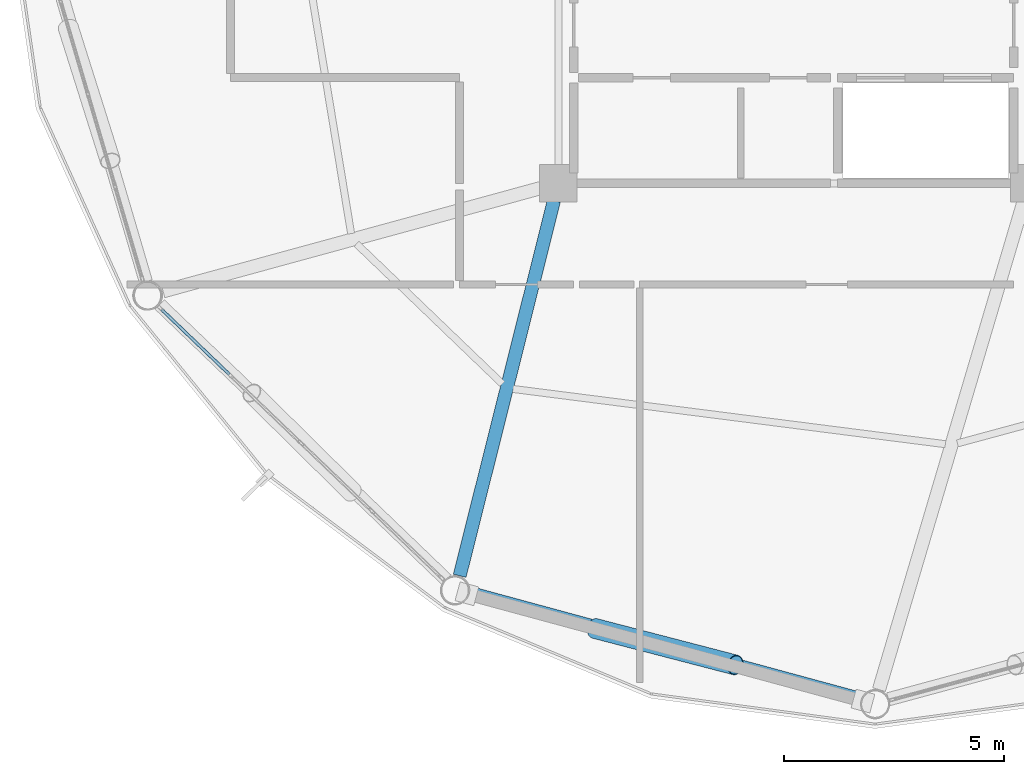
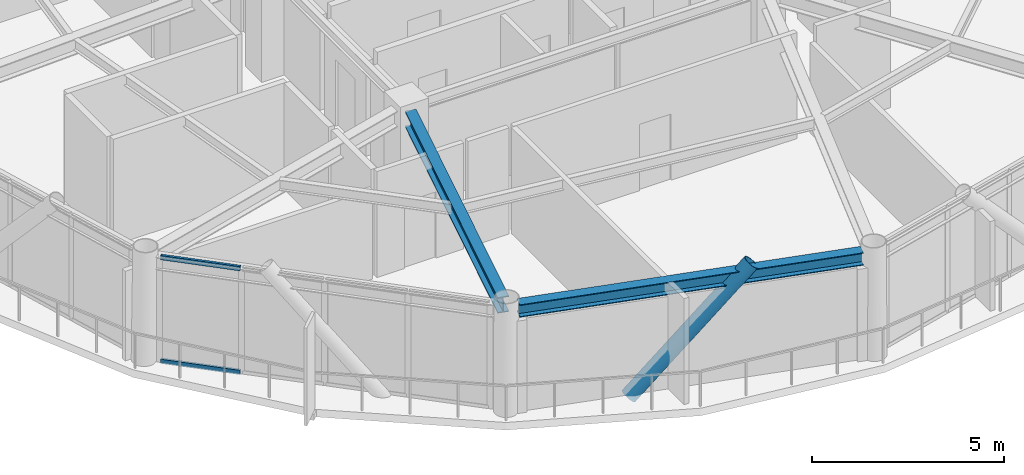
# One storey, part 3 of 28: 3 members, 2 beams, 1 element without a shape of its own.
"""IFC4 building model written with IfcOpenShell, lengths in metres."""

import ifcopenshell
import ifcopenshell.guid

model = None  # the IFC model being written
_history = None  # IfcOwnerHistory: only IFC2X3 demands one
_inside = {}  # id of a spatial element -> (the spatial element, [elements in it])
_under = {}  # id of a project, library or spatial element -> (it, [spatial elements below it])
_declared = {}  # id of a project -> (the project, [libraries it declares])
_typed = {}  # id of a type object -> (the type object, [elements of that type])
_made_of = {}  # id of a material, layer set ... -> (it, [elements and type objects made of it])


def new_model(schema):
    """Start an empty IFC model of exactly this schema.

    Asked for "IFC4X3", IfcOpenShell would pick the latest addendum, in which some entities
    have other attributes; the version numbers below select the first issue.
    IFC2X3 requires an IfcOwnerHistory on every rooted entity: one is made here for all.
    """
    global model, _history
    if schema == "IFC4X3":
        model = ifcopenshell.file(schema_version=(4, 3, 0, 0))
    else:
        model = ifcopenshell.file(schema=schema)
    _inside.clear()
    _under.clear()
    _declared.clear()
    _typed.clear()
    _made_of.clear()
    _history = None
    if model.schema == "IFC2X3":
        org = make("IfcOrganization", Name="unknown")
        user = make(
            "IfcPersonAndOrganization",
            ThePerson=make("IfcPerson", FamilyName="unknown"),
            TheOrganization=org,
        )
        app = make(
            "IfcApplication",
            ApplicationDeveloper=org,
            Version="unknown",
            ApplicationFullName="unknown",
            ApplicationIdentifier="unknown",
        )
        _history = make(
            "IfcOwnerHistory",
            OwningUser=user,
            OwningApplication=app,
            ChangeAction="ADDED",
            CreationDate=0,
        )
    return model


def make(cls, **values):
    """One entity of the class cls with the attributes given. An attribute that is None is left unset."""
    return model.create_entity(
        cls, **{name: value for name, value in values.items() if value is not None}
    )


def rooted(cls, **values):
    """An entity with a GlobalId (a new one), such as an element, a storey or a relation."""
    return make(cls, GlobalId=ifcopenshell.guid.new(), OwnerHistory=_history, **values)


def si_unit(unit_type, name, prefix=None):
    """IfcSIUnit, for example si_unit("LENGTHUNIT", "METRE", prefix="MILLI")."""
    return make("IfcSIUnit", UnitType=unit_type, Prefix=prefix, Name=name)


def assignment(units):
    """IfcUnitAssignment: the units of a project."""
    return None if units is None else make("IfcUnitAssignment", Units=units)


def point(xyz):
    """IfcCartesianPoint."""
    return None if xyz is None else make("IfcCartesianPoint", Coordinates=xyz)


def direction(xyz):
    """IfcDirection."""
    return None if xyz is None else make("IfcDirection", DirectionRatios=xyz)


def frame(location, z_axis=None, x_axis=None):
    """IfcAxis2Placement3D, a coordinate frame: its origin and axes. An axis left out is left unset."""
    return make(
        "IfcAxis2Placement3D",
        Location=point(location),
        Axis=direction(z_axis),
        RefDirection=direction(x_axis),
    )


def frame_2d(location, x_axis=None):
    """IfcAxis2Placement2D, a coordinate frame in the plane: its origin and x axis."""
    return make(
        "IfcAxis2Placement2D", Location=point(location), RefDirection=direction(x_axis)
    )


def origin():
    """The frame at (0, 0, 0) with its axes left unset."""
    return frame((0.0, 0.0, 0.0))


def origin_2d():
    """The frame at (0, 0) in the plane with its x axis left unset."""
    return frame_2d((0.0, 0.0))


def place(relative_to, where):
    """IfcLocalPlacement: puts the frame where relative to a parent placement (None: the world)."""
    return make(
        "IfcLocalPlacement", PlacementRelTo=relative_to, RelativePlacement=where
    )


def context(
    kind, dimensions, precision=None, world=None, true_north=None, identifier=None
):
    """IfcGeometricRepresentationContext, for example the 3D "Model" context."""
    return make(
        "IfcGeometricRepresentationContext",
        ContextIdentifier=identifier,
        ContextType=kind,
        CoordinateSpaceDimension=dimensions,
        Precision=precision,
        WorldCoordinateSystem=world,
        TrueNorth=true_north,
    )


def subcontext(parent, identifier, kind, view, scale=None):
    """IfcGeometricRepresentationSubContext, for example "Body" below "Model"."""
    return make(
        "IfcGeometricRepresentationSubContext",
        ContextIdentifier=identifier,
        ContextType=kind,
        ParentContext=parent,
        TargetScale=scale,
        TargetView=view,
    )


def project(units=None, contexts=None):
    """IfcProject with its units and contexts."""
    return rooted(
        "IfcProject",
        Name="project",
        RepresentationContexts=contexts,
        UnitsInContext=assignment(units),
    )


def spatial(cls, under=None, at=None, **own):
    """A site, building, storey or space (cls), placed at a placement, below another one or the project."""
    s = rooted(cls, ObjectPlacement=at, **own)
    if under is not None:
        _under.setdefault(under.id(), (under, []))[1].append(s)
    return s


def profile(cls, at=None, kind="AREA", **sizes):
    """A parametric profile (cls). Its sizes go by their IFC names, for example OverallWidth=200.0."""
    return make(cls, ProfileType=kind, Position=at, **sizes)


def hollow_rectangle(**sizes):
    """IfcRectangleHollowProfileDef."""
    return profile("IfcRectangleHollowProfileDef", **sizes)


def hollow_circle(**sizes):
    """IfcCircleHollowProfileDef."""
    return profile("IfcCircleHollowProfileDef", **sizes)


def i_section(**sizes):
    """IfcIShapeProfileDef."""
    return profile("IfcIShapeProfileDef", **sizes)


def extrude(swept, where, along, depth):
    """IfcExtrudedAreaSolid: the profile swept, set in the frame where, extruded along a direction by depth."""
    return make(
        "IfcExtrudedAreaSolid",
        SweptArea=swept,
        Position=where,
        ExtrudedDirection=direction(along),
        Depth=depth,
    )


def shape(context_of_items, identifier, shape_type, items):
    """IfcShapeRepresentation: the items that make up one representation, for example the "Body"."""
    return make(
        "IfcShapeRepresentation",
        ContextOfItems=context_of_items,
        RepresentationIdentifier=identifier,
        RepresentationType=shape_type,
        Items=items,
    )


def material(Name=None, Category=None):
    """IfcMaterial."""
    return make("IfcMaterial", Name=Name, Category=Category)


def layer(
    of_material, thickness, ventilated=None, Name=None, Category=None, Priority=None
):
    """IfcMaterialLayer: one layer of a wall or slab, of a material (None: an air gap)."""
    return make(
        "IfcMaterialLayer",
        Material=of_material,
        LayerThickness=thickness,
        IsVentilated=ventilated,
        Name=Name,
        Category=Category,
        Priority=Priority,
    )


def layer_set(layers, Name=None):
    """IfcMaterialLayerSet."""
    return make("IfcMaterialLayerSet", MaterialLayers=layers, LayerSetName=Name)


def material_profile(
    of_material, cross_section, Name=None, Category=None, Priority=None
):
    """IfcMaterialProfile: a cross section and its material."""
    return make(
        "IfcMaterialProfile",
        Name=Name,
        Material=of_material,
        Profile=cross_section,
        Priority=Priority,
        Category=Category,
    )


def profile_set(profiles, Name=None, composite=None):
    """IfcMaterialProfileSet."""
    return make(
        "IfcMaterialProfileSet",
        Name=Name,
        MaterialProfiles=profiles,
        CompositeProfile=composite,
    )


def made_of(thing, what):
    """Note that an element or type object is made of a material, layer set ...; save() writes the relation."""
    if what is not None:
        _made_of.setdefault(what.id(), (what, []))[1].append(thing)
    return thing


def type_object(cls, material=None, **own):
    """A type object (cls), such as IfcWallType, which elements share."""
    return made_of(rooted(cls, **own), material)


def element(
    cls,
    number,
    at=None,
    inside=None,
    cuts=None,
    type_object=None,
    material=None,
    context=None,
    identifier="Body",
    shape_type=None,
    held_by="IfcProductDefinitionShape",
    body=None,
    shapes=None,
    **own,
):
    """One element of the class cls, such as IfcWall. Its Tag is "e" and its number.

    at: its placement. inside: the storey or other place that contains it. cuts: it is an
    opening in that element (IfcRelVoidsElement). A single representation is given by context,
    identifier, shape_type and body (its items); several are given by shapes. held_by: the class
    of the entity that holds the representations. save() writes the other relations.
    """
    e = rooted(cls, Tag="e%d" % number, ObjectPlacement=at, **own)
    if body is not None:
        shapes = [shape(context, identifier, shape_type, body)]
    if shapes is not None:
        e.Representation = make(held_by, Representations=shapes)
    if inside is not None:
        _inside.setdefault(inside.id(), (inside, []))[1].append(e)
    if cuts is not None:
        rooted(
            "IfcRelVoidsElement", RelatingBuildingElement=cuts, RelatedOpeningElement=e
        )
    if type_object is not None:
        _typed.setdefault(type_object.id(), (type_object, []))[1].append(e)
    return made_of(e, material)


def aggregate(whole, parts):
    """IfcRelAggregates: a whole, such as a stair, and the parts it consists of."""
    return rooted("IfcRelAggregates", RelatingObject=whole, RelatedObjects=parts)


def save(model, path):
    """Write the relations noted so far, then the file.

    IfcRelAggregates (storeys below a building ...), IfcRelContainedInSpatialStructure (elements
    in a storey), IfcRelDefinesByType, IfcRelAssociatesMaterial and IfcRelDeclares: one each for
    every whole, place, type object, material and project.
    """
    for whole, parts in _under.values():
        aggregate(whole, parts)
    for where, things in _inside.values():
        rooted(
            "IfcRelContainedInSpatialStructure",
            RelatedElements=things,
            RelatingStructure=where,
        )
    for kind, things in _typed.values():
        rooted("IfcRelDefinesByType", RelatedObjects=things, RelatingType=kind)
    for what, things in _made_of.values():
        rooted("IfcRelAssociatesMaterial", RelatedObjects=things, RelatingMaterial=what)
    for by, libraries in _declared.values():
        rooted("IfcRelDeclares", RelatingContext=by, RelatedDefinitions=libraries)
    model.write(path)


model = new_model("IFC4")

# Units and contexts
model_context = context("Model", 3, precision=1e-05, world=origin(), true_north=direction((0.0, 1.0)))
body_context = subcontext(model_context, "Body", "Model", "MODEL_VIEW")
ifc_project = project(units=[si_unit("LENGTHUNIT", "METRE"), si_unit("AREAUNIT", "SQUARE_METRE"), si_unit("VOLUMEUNIT", "CUBIC_METRE"), si_unit("PLANEANGLEUNIT", "RADIAN"), si_unit("MASSUNIT", "GRAM", prefix="KILO")], contexts=[model_context])

# Site, building, storey
site_placement = place(None, origin())
site = spatial("IfcSite", under=ifc_project, at=site_placement, CompositionType="ELEMENT")
building_placement = place(site_placement, origin())
building = spatial("IfcBuilding", under=site, at=building_placement, Name="Varnakorn Sky Granary", CompositionType="ELEMENT")
storey_placement = place(building_placement, frame((0.0, 0.0, 207.60009765625)))
storey = spatial("IfcBuildingStorey", under=building, at=storey_placement, Name="L52", CompositionType="ELEMENT", Elevation=207.60009765625)

# Beams
ifc_material_1 = material(Name="Steel S355JR", Category="steel")
ifc_material_profile_1 = material_profile(ifc_material_1, i_section(OverallWidth=0.300048828125, OverallDepth=0.5, WebThickness=0.014404296875, FlangeThickness=0.028076171875, at=origin_2d()), Name="HE 500 B")
ifc_profile_set_1 = profile_set([ifc_material_profile_1], Name="Steel S355JR")
beam_type_1 = type_object("IfcBeamType", Name="BM-RAD-Z4", PredefinedType="BEAM", material=ifc_profile_set_1)
beam_1_placement = place(storey_placement, frame((-2.44873046875, -6.992919921875, 3.10986328125), z_axis=(-0.243743868225, -0.969839639684, 0.0), x_axis=(0.969839639684, -0.243743868225, 0.0)))
element("IfcBeam", 1, at=beam_1_placement, inside=storey, type_object=beam_type_1, Name="Radial Floor Girder RG09 L52", PredefinedType="BEAM", context=body_context, shape_type="SweptSolid", body=[
    extrude(i_section(OverallWidth=0.300048828125, OverallDepth=0.5, WebThickness=0.014404296875, FlangeThickness=0.028076171875, at=origin_2d()), origin(), (0.0, 0.0, 1.0), 8.794189453125),
])
ifc_material_profile_2 = material_profile(ifc_material_1, i_section(OverallWidth=0.300048828125, OverallDepth=0.39990234375, WebThickness=0.013427734375, FlangeThickness=0.02392578125, at=origin_2d()), Name="HE 400 B")
ifc_profile_set_2 = profile_set([ifc_material_profile_2], Name="Steel S355JR")
beam_type_2 = type_object("IfcBeamType", Name="BM-SPD-Z4", PredefinedType="SPANDREL", material=ifc_profile_set_2)
beam_2_placement = place(storey_placement, frame((-4.364990234375, -15.909912109375, 3.159912109375), z_axis=(0.965080415156, -0.261953797993, 0.0), x_axis=(0.261953797993, 0.965080415156, 0.0)))
element("IfcBeam", 2, at=beam_2_placement, inside=storey, type_object=beam_type_2, Name="Perimeter Spandrel Ring Beam RB09 L52", PredefinedType="SPANDREL", context=body_context, shape_type="SweptSolid", body=[
    extrude(i_section(OverallWidth=0.300048828125, OverallDepth=0.39990234375, WebThickness=0.013427734375, FlangeThickness=0.02392578125, at=origin_2d()), origin(), (0.0, 0.0, 1.0), 9.2333984375),
])

# Curtain wall, members
ifc_material_2 = material(Name="Anodised Bronze Aluminium Alloy 6063-T6", Category="aluminium")
ifc_layer = layer(ifc_material_2, 0.169921875, Name="Anodised Bronze Aluminium Alloy 6063-T6")
ifc_layer_set = layer_set([ifc_layer], Name="Anodised Bronze Aluminium Alloy 6063-T6")
curtain_wall_type = type_object("IfcCurtainWallType", Name="CW-LAB-1", PredefinedType="USERDEFINED", material=ifc_layer_set)
curtain_wall_placement = place(storey_placement, origin())
curtain_wall = element("IfcCurtainWall", 3, at=curtain_wall_placement, inside=storey, type_object=curtain_wall_type, Name="Unitised Curtain Wall CW5 CW-L52-B08", ObjectType="CURTAIN WALL", PredefinedType="USERDEFINED")
ifc_material_profile_3 = material_profile(ifc_material_2, hollow_rectangle(XDim=0.070068359375, YDim=0.139892578125, WallThickness=0.00341796875, at=origin_2d()), Name="ALU TRAN 70x140")
ifc_profile_set_3 = profile_set([ifc_material_profile_3], Name="Anodised Bronze Aluminium Alloy 6063-T6")
member_type_1 = type_object("IfcMemberType", Name="CW-LAB-1-TRAN", PredefinedType="USERDEFINED", material=ifc_profile_set_3)
member_1_placement = place(storey_placement, frame((-9.829833984375, -10.94287109375, 0.034912109375), z_axis=(-0.722026396147, 0.691865509523, 0.0), x_axis=(-0.691865509523, -0.722026396147, 0.0)))
member_1 = element("IfcMember", 4, at=member_1_placement, type_object=member_type_1, Name="CW5 transom 4.1", ObjectType="TRANSOM", PredefinedType="USERDEFINED", context=body_context, shape_type="SweptSolid", body=[
    extrude(hollow_rectangle(XDim=0.070068359375, YDim=0.139892578125, WallThickness=0.00341796875, at=origin_2d()), origin(), (0.0, 0.0, 1.0), 2.12890625),
])
member_2_placement = place(storey_placement, frame((-9.829833984375, -10.94287109375, 3.324951171875), z_axis=(-0.722026396147, 0.691865509523, 0.0), x_axis=(-0.691865509523, -0.722026396147, 0.0)))
member_2 = element("IfcMember", 5, at=member_2_placement, type_object=member_type_1, Name="CW5 transom 4.2", ObjectType="TRANSOM", PredefinedType="USERDEFINED", context=body_context, shape_type="SweptSolid", body=[
    extrude(hollow_rectangle(XDim=0.070068359375, YDim=0.139892578125, WallThickness=0.00341796875, at=origin_2d()), origin(), (0.0, 0.0, 1.0), 2.12890625),
])
aggregate(curtain_wall, [member_1, member_2])

# Member
ifc_material_3 = material(Name="Steel S460M", Category="steel")
ifc_material_profile_4 = material_profile(ifc_material_3, hollow_circle(Radius=0.228515625, WallThickness=0.01611328125, at=origin_2d()), Name="CHS 457x16")
ifc_profile_set_4 = profile_set([ifc_material_profile_4], Name="Steel S460M")
member_type_2 = type_object("IfcMemberType", Name="MB-DIAG-T3", PredefinedType="BRACE", material=ifc_profile_set_4)
member_3_placement = place(storey_placement, frame((-1.518310546875, -16.719482421875, -0.130126953125), z_axis=(0.652176502421, -0.169472210019, 0.738880896844), x_axis=(0.251503626725, 0.967856355946, 0.0)))
element("IfcMember", 6, at=member_3_placement, inside=storey, type_object=member_type_2, Name="Perimeter CHS Diagrid Brace DG09 L52", PredefinedType="BRACE", context=body_context, shape_type="SweptSolid", body=[
    extrude(hollow_circle(Radius=0.228515625, WallThickness=0.01611328125, at=origin_2d()), origin(), (0.0, 0.0, 1.0), 4.8994140625),
])

save(model, "model.ifc")
